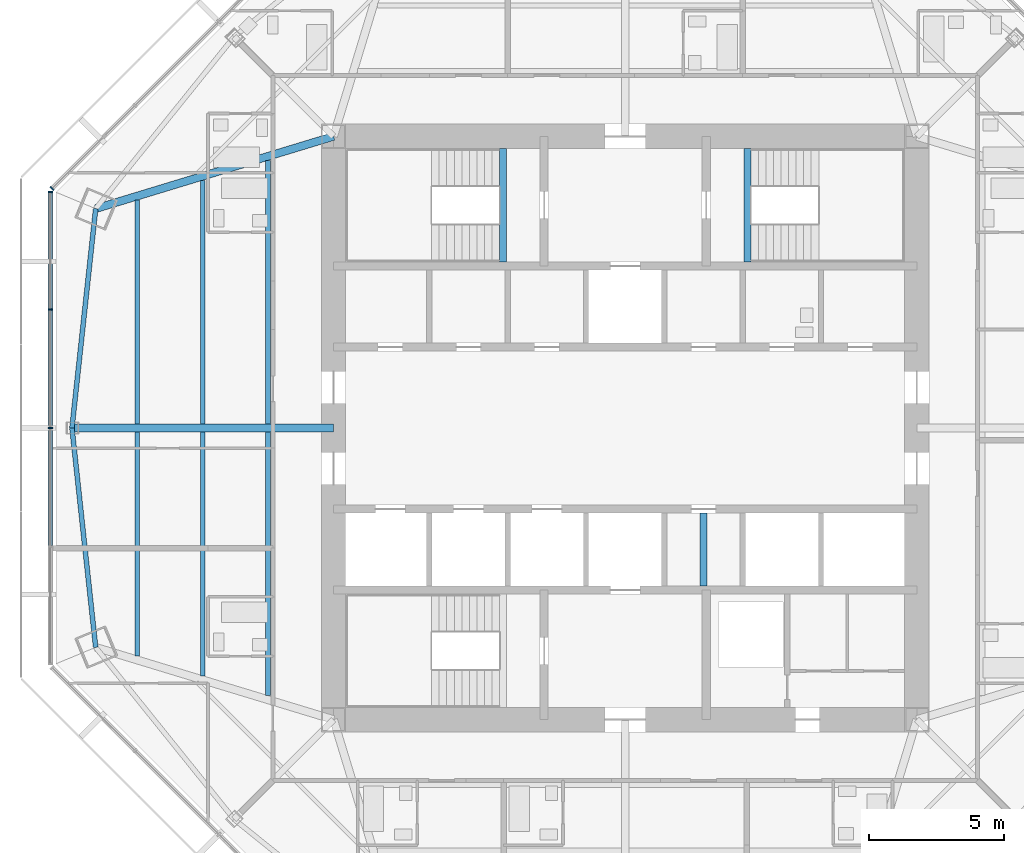
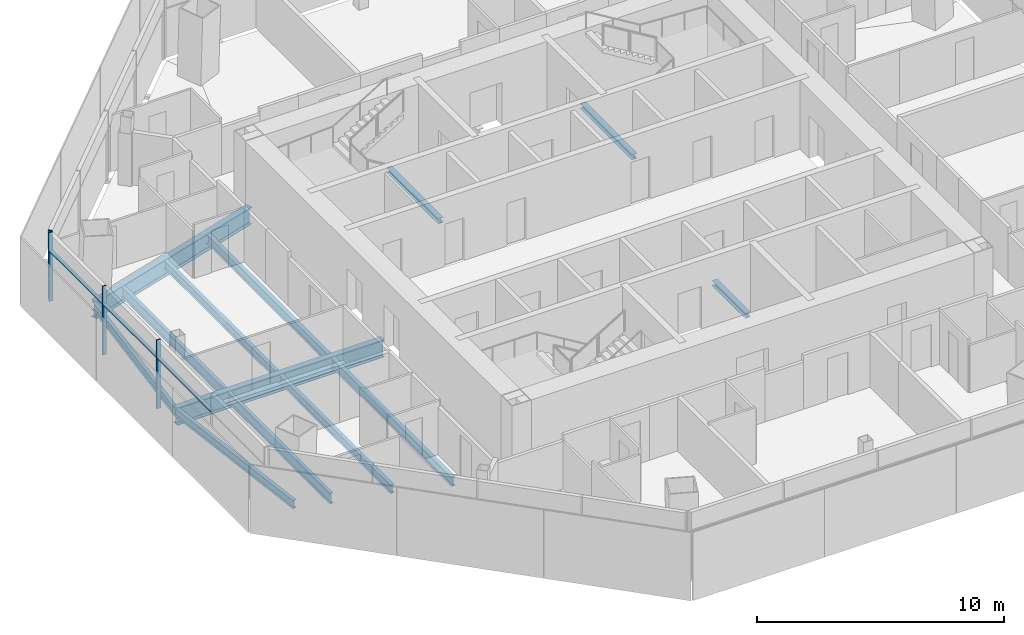
# One storey, part 3 of 14: 13 beams, 7 members, 2 elements without a shape of their own.
"""IFC4 building model written with IfcOpenShell, lengths in metres."""

import ifcopenshell
import ifcopenshell.guid

model = None  # the IFC model being written
_history = None  # IfcOwnerHistory: only IFC2X3 demands one
_inside = {}  # id of a spatial element -> (the spatial element, [elements in it])
_under = {}  # id of a project, library or spatial element -> (it, [spatial elements below it])
_declared = {}  # id of a project -> (the project, [libraries it declares])
_typed = {}  # id of a type object -> (the type object, [elements of that type])
_made_of = {}  # id of a material, layer set ... -> (it, [elements and type objects made of it])


def new_model(schema):
    """Start an empty IFC model of exactly this schema.

    Asked for "IFC4X3", IfcOpenShell would pick the latest addendum, in which some entities
    have other attributes; the version numbers below select the first issue.
    IFC2X3 requires an IfcOwnerHistory on every rooted entity: one is made here for all.
    """
    global model, _history
    if schema == "IFC4X3":
        model = ifcopenshell.file(schema_version=(4, 3, 0, 0))
    else:
        model = ifcopenshell.file(schema=schema)
    _inside.clear()
    _under.clear()
    _declared.clear()
    _typed.clear()
    _made_of.clear()
    _history = None
    if model.schema == "IFC2X3":
        org = make("IfcOrganization", Name="unknown")
        user = make(
            "IfcPersonAndOrganization",
            ThePerson=make("IfcPerson", FamilyName="unknown"),
            TheOrganization=org,
        )
        app = make(
            "IfcApplication",
            ApplicationDeveloper=org,
            Version="unknown",
            ApplicationFullName="unknown",
            ApplicationIdentifier="unknown",
        )
        _history = make(
            "IfcOwnerHistory",
            OwningUser=user,
            OwningApplication=app,
            ChangeAction="ADDED",
            CreationDate=0,
        )
    return model


def make(cls, **values):
    """One entity of the class cls with the attributes given. An attribute that is None is left unset."""
    return model.create_entity(
        cls, **{name: value for name, value in values.items() if value is not None}
    )


def rooted(cls, **values):
    """An entity with a GlobalId (a new one), such as an element, a storey or a relation."""
    return make(cls, GlobalId=ifcopenshell.guid.new(), OwnerHistory=_history, **values)


def si_unit(unit_type, name, prefix=None):
    """IfcSIUnit, for example si_unit("LENGTHUNIT", "METRE", prefix="MILLI")."""
    return make("IfcSIUnit", UnitType=unit_type, Prefix=prefix, Name=name)


def assignment(units):
    """IfcUnitAssignment: the units of a project."""
    return None if units is None else make("IfcUnitAssignment", Units=units)


def point(xyz):
    """IfcCartesianPoint."""
    return None if xyz is None else make("IfcCartesianPoint", Coordinates=xyz)


def direction(xyz):
    """IfcDirection."""
    return None if xyz is None else make("IfcDirection", DirectionRatios=xyz)


def frame(location, z_axis=None, x_axis=None):
    """IfcAxis2Placement3D, a coordinate frame: its origin and axes. An axis left out is left unset."""
    return make(
        "IfcAxis2Placement3D",
        Location=point(location),
        Axis=direction(z_axis),
        RefDirection=direction(x_axis),
    )


def frame_2d(location, x_axis=None):
    """IfcAxis2Placement2D, a coordinate frame in the plane: its origin and x axis."""
    return make(
        "IfcAxis2Placement2D", Location=point(location), RefDirection=direction(x_axis)
    )


def origin():
    """The frame at (0, 0, 0) with its axes left unset."""
    return frame((0.0, 0.0, 0.0))


def origin_2d():
    """The frame at (0, 0) in the plane with its x axis left unset."""
    return frame_2d((0.0, 0.0))


def place(relative_to, where):
    """IfcLocalPlacement: puts the frame where relative to a parent placement (None: the world)."""
    return make(
        "IfcLocalPlacement", PlacementRelTo=relative_to, RelativePlacement=where
    )


def context(
    kind, dimensions, precision=None, world=None, true_north=None, identifier=None
):
    """IfcGeometricRepresentationContext, for example the 3D "Model" context."""
    return make(
        "IfcGeometricRepresentationContext",
        ContextIdentifier=identifier,
        ContextType=kind,
        CoordinateSpaceDimension=dimensions,
        Precision=precision,
        WorldCoordinateSystem=world,
        TrueNorth=true_north,
    )


def subcontext(parent, identifier, kind, view, scale=None):
    """IfcGeometricRepresentationSubContext, for example "Body" below "Model"."""
    return make(
        "IfcGeometricRepresentationSubContext",
        ContextIdentifier=identifier,
        ContextType=kind,
        ParentContext=parent,
        TargetScale=scale,
        TargetView=view,
    )


def project(units=None, contexts=None):
    """IfcProject with its units and contexts."""
    return rooted(
        "IfcProject",
        Name="project",
        RepresentationContexts=contexts,
        UnitsInContext=assignment(units),
    )


def spatial(cls, under=None, at=None, **own):
    """A site, building, storey or space (cls), placed at a placement, below another one or the project."""
    s = rooted(cls, ObjectPlacement=at, **own)
    if under is not None:
        _under.setdefault(under.id(), (under, []))[1].append(s)
    return s


def profile(cls, at=None, kind="AREA", **sizes):
    """A parametric profile (cls). Its sizes go by their IFC names, for example OverallWidth=200.0."""
    return make(cls, ProfileType=kind, Position=at, **sizes)


def rectangle(**sizes):
    """IfcRectangleProfileDef."""
    return profile("IfcRectangleProfileDef", **sizes)


def i_section(**sizes):
    """IfcIShapeProfileDef."""
    return profile("IfcIShapeProfileDef", **sizes)


def extrude(swept, where, along, depth):
    """IfcExtrudedAreaSolid: the profile swept, set in the frame where, extruded along a direction by depth."""
    return make(
        "IfcExtrudedAreaSolid",
        SweptArea=swept,
        Position=where,
        ExtrudedDirection=direction(along),
        Depth=depth,
    )


def shape(context_of_items, identifier, shape_type, items):
    """IfcShapeRepresentation: the items that make up one representation, for example the "Body"."""
    return make(
        "IfcShapeRepresentation",
        ContextOfItems=context_of_items,
        RepresentationIdentifier=identifier,
        RepresentationType=shape_type,
        Items=items,
    )


def source(mapping_origin, context_of_items, identifier, shape_type, items):
    """IfcRepresentationMap: a shape defined once, which mapped items show again and again."""
    return make(
        "IfcRepresentationMap",
        MappingOrigin=mapping_origin,
        MappedRepresentation=shape(context_of_items, identifier, shape_type, items),
    )


def transform(
    local_origin,
    x_axis=None,
    y_axis=None,
    z_axis=None,
    scale=None,
    scale2=None,
    scale3=None,
    uniform=True,
):
    """IfcCartesianTransformationOperator3D, or its non-uniform kind. x_axis, y_axis, z_axis: its Axis1, 2, 3."""
    if uniform:
        return make(
            "IfcCartesianTransformationOperator3D",
            Axis1=direction(x_axis),
            Axis2=direction(y_axis),
            LocalOrigin=point(local_origin),
            Scale=scale,
            Axis3=direction(z_axis),
        )
    return make(
        "IfcCartesianTransformationOperator3DnonUniform",
        Axis1=direction(x_axis),
        Axis2=direction(y_axis),
        LocalOrigin=point(local_origin),
        Scale=scale,
        Axis3=direction(z_axis),
        Scale2=scale2,
        Scale3=scale3,
    )


def mapped(mapping_source, mapping_target):
    """IfcMappedItem: shows the shape of a source again, moved by a transform."""
    return make(
        "IfcMappedItem", MappingSource=mapping_source, MappingTarget=mapping_target
    )


def material(Name=None, Category=None):
    """IfcMaterial."""
    return make("IfcMaterial", Name=Name, Category=Category)


def material_profile(
    of_material, cross_section, Name=None, Category=None, Priority=None
):
    """IfcMaterialProfile: a cross section and its material."""
    return make(
        "IfcMaterialProfile",
        Name=Name,
        Material=of_material,
        Profile=cross_section,
        Priority=Priority,
        Category=Category,
    )


def profile_set(profiles, Name=None, composite=None):
    """IfcMaterialProfileSet."""
    return make(
        "IfcMaterialProfileSet",
        Name=Name,
        MaterialProfiles=profiles,
        CompositeProfile=composite,
    )


def made_of(thing, what):
    """Note that an element or type object is made of a material, layer set ...; save() writes the relation."""
    if what is not None:
        _made_of.setdefault(what.id(), (what, []))[1].append(thing)
    return thing


def type_object(cls, material=None, **own):
    """A type object (cls), such as IfcWallType, which elements share."""
    return made_of(rooted(cls, **own), material)


def type_shapes(of_type, sources):
    """Give a type object the sources (RepresentationMaps) that its elements show as mapped items."""
    of_type.RepresentationMaps = sources


def element(
    cls,
    number,
    at=None,
    inside=None,
    cuts=None,
    type_object=None,
    material=None,
    context=None,
    identifier="Body",
    shape_type=None,
    held_by="IfcProductDefinitionShape",
    body=None,
    shapes=None,
    **own,
):
    """One element of the class cls, such as IfcWall. Its Tag is "e" and its number.

    at: its placement. inside: the storey or other place that contains it. cuts: it is an
    opening in that element (IfcRelVoidsElement). A single representation is given by context,
    identifier, shape_type and body (its items); several are given by shapes. held_by: the class
    of the entity that holds the representations. save() writes the other relations.
    """
    e = rooted(cls, Tag="e%d" % number, ObjectPlacement=at, **own)
    if body is not None:
        shapes = [shape(context, identifier, shape_type, body)]
    if shapes is not None:
        e.Representation = make(held_by, Representations=shapes)
    if inside is not None:
        _inside.setdefault(inside.id(), (inside, []))[1].append(e)
    if cuts is not None:
        rooted(
            "IfcRelVoidsElement", RelatingBuildingElement=cuts, RelatedOpeningElement=e
        )
    if type_object is not None:
        _typed.setdefault(type_object.id(), (type_object, []))[1].append(e)
    return made_of(e, material)


def aggregate(whole, parts):
    """IfcRelAggregates: a whole, such as a stair, and the parts it consists of."""
    return rooted("IfcRelAggregates", RelatingObject=whole, RelatedObjects=parts)


def save(model, path):
    """Write the relations noted so far, then the file.

    IfcRelAggregates (storeys below a building ...), IfcRelContainedInSpatialStructure (elements
    in a storey), IfcRelDefinesByType, IfcRelAssociatesMaterial and IfcRelDeclares: one each for
    every whole, place, type object, material and project.
    """
    for whole, parts in _under.values():
        aggregate(whole, parts)
    for where, things in _inside.values():
        rooted(
            "IfcRelContainedInSpatialStructure",
            RelatedElements=things,
            RelatingStructure=where,
        )
    for kind, things in _typed.values():
        rooted("IfcRelDefinesByType", RelatedObjects=things, RelatingType=kind)
    for what, things in _made_of.values():
        rooted("IfcRelAssociatesMaterial", RelatedObjects=things, RelatingMaterial=what)
    for by, libraries in _declared.values():
        rooted("IfcRelDeclares", RelatingContext=by, RelatedDefinitions=libraries)
    model.write(path)


model = new_model("IFC4")

# Units and contexts
model_context = context("Model", 3, precision=1e-05, world=origin(), true_north=direction((0.0, 1.0)))
body_context = subcontext(model_context, "Body", "Model", "MODEL_VIEW")
ifc_project = project(units=[si_unit("LENGTHUNIT", "METRE"), si_unit("AREAUNIT", "SQUARE_METRE"), si_unit("VOLUMEUNIT", "CUBIC_METRE"), si_unit("PLANEANGLEUNIT", "RADIAN"), si_unit("MASSUNIT", "GRAM", prefix="KILO")], contexts=[model_context])

# Site, building, storey
site_placement = place(None, origin())
site = spatial("IfcSite", under=ifc_project, at=site_placement, CompositionType="ELEMENT")
building_placement = place(site_placement, origin())
building = spatial("IfcBuilding", under=site, at=building_placement, Name="Mashrafa Tower", CompositionType="ELEMENT")
storey_placement = place(building_placement, frame((0.0, 0.0, 238.0)))
storey = spatial("IfcBuildingStorey", under=building, at=storey_placement, Name="L56", CompositionType="ELEMENT", Elevation=238.0)

# Beams
ifc_material_1 = material(Name="Steel ASTM A992", Category="steel")
ifc_material_profile_1 = material_profile(ifc_material_1, i_section(OverallWidth=0.177734375, OverallDepth=0.406494140625, WebThickness=0.0078125, FlangeThickness=0.012939453125, FilletRadius=0.01025390625, at=origin_2d()), Name="W16X40")
ifc_profile_set_1 = profile_set([ifc_material_profile_1], Name="Steel ASTM A992")
beam_type_1 = type_object("IfcBeamType", Name="Beam W16X40", PredefinedType="BEAM", material=ifc_profile_set_1)
for number, where, z_axis, x_axis, name in (
    (1, (-15.643798828125, -9.17529296875, -0.4033203125), (0.0, 1.0, 0.0), (-1.0, 0.0, 0.0), "Floor beam L56 004"),
    (2, (-15.643798828125, 0.14599609375, -0.4033203125), (0.0, 1.0, 0.0), (-1.0, 0.0, 0.0), "Floor beam L56 005"),
):
    element("IfcBeam", number, at=place(storey_placement, frame(where, z_axis=z_axis, x_axis=x_axis)), inside=storey, type_object=beam_type_1, Name=name, PredefinedType="BEAM", context=body_context, shape_type="SweptSolid", body=[
        extrude(i_section(OverallWidth=0.177734375, OverallDepth=0.406494140625, WebThickness=0.0078125, FlangeThickness=0.012939453125, FilletRadius=0.01025390625, at=origin_2d()), origin(), (0.0, 0.0, 1.0), 9.029296875),
    ])
for number, where, z_axis, x_axis, name in (
    (3, (-20.48779296875, 0.0, -0.4033203125), (0.107489027835, -0.994206270799, 0.0), (0.994206270799, 0.107489027835, 0.0), "Spandrel beam L56 049"),
    (4, (-19.609619140625, 8.12255859375, -0.4033203125), (-0.107489027835, -0.994206270799, 0.0), (0.994206270799, -0.107489027835, 0.0), "Spandrel beam L56 051"),
):
    element("IfcBeam", number, at=place(storey_placement, frame(where, z_axis=z_axis, x_axis=x_axis)), inside=storey, type_object=beam_type_1, Name=name, PredefinedType="BEAM", context=body_context, shape_type="SweptSolid", body=[
        extrude(i_section(OverallWidth=0.177734375, OverallDepth=0.406494140625, WebThickness=0.0078125, FlangeThickness=0.012939453125, FilletRadius=0.01025390625, at=origin_2d()), origin(), (0.0, 0.0, 1.0), 8.169921875),
    ])
ifc_material_2 = material(Name="Steel ASTM A992", Category="steel")
ifc_material_profile_2 = material_profile(ifc_material_2, i_section(OverallWidth=0.191162109375, OverallDepth=0.459716796875, WebThickness=0.010009765625, FlangeThickness=0.01611328125, FilletRadius=0.01025390625, at=origin_2d()), Name="W18X55")
ifc_profile_set_2 = profile_set([ifc_material_profile_2], Name="Steel ASTM A992")
beam_type_2 = type_object("IfcBeamType", Name="Beam W18X55", PredefinedType="BEAM", material=ifc_profile_set_2)
for number, where, z_axis, x_axis, name in (
    (5, (-13.221923828125, -9.911376953125, -0.429931640625), (0.0, 1.0, 0.0), (-1.0, 0.0, 0.0), "Floor beam L56 006"),
    (6, (-13.221923828125, 0.14599609375, -0.429931640625), (0.0, 1.0, 0.0), (-1.0, 0.0, 0.0), "Floor beam L56 007"),
):
    element("IfcBeam", number, at=place(storey_placement, frame(where, z_axis=z_axis, x_axis=x_axis)), inside=storey, type_object=beam_type_2, Name=name, PredefinedType="BEAM", context=body_context, shape_type="SweptSolid", body=[
        extrude(i_section(OverallWidth=0.191162109375, OverallDepth=0.459716796875, WebThickness=0.010009765625, FlangeThickness=0.01611328125, FilletRadius=0.01025390625, at=origin_2d()), origin(), (0.0, 0.0, 1.0), 9.765380859375),
    ])
ifc_material_3 = material(Name="Steel ASTM A992", Category="steel")
ifc_material_profile_3 = material_profile(ifc_material_3, i_section(OverallWidth=0.165771484375, OverallDepth=0.5283203125, WebThickness=0.009765625, FlangeThickness=0.013671875, FilletRadius=0.012939453125, at=origin_2d()), Name="W21X50")
ifc_profile_set_3 = profile_set([ifc_material_profile_3], Name="Steel ASTM A992")
beam_type_3 = type_object("IfcBeamType", Name="Beam W21X50", PredefinedType="BEAM", material=ifc_profile_set_3)
for number, where, z_axis, x_axis, name in (
    (7, (-18.06591796875, -8.439208984375, -0.464111328125), (0.0, 1.0, 0.0), (-1.0, 0.0, 0.0), "Floor beam L56 001"),
    (8, (-18.06591796875, 0.14599609375, -0.464111328125), (0.0, 1.0, 0.0), (-1.0, 0.0, 0.0), "Floor beam L56 002"),
):
    element("IfcBeam", number, at=place(storey_placement, frame(where, z_axis=z_axis, x_axis=x_axis)), inside=storey, type_object=beam_type_3, Name=name, PredefinedType="BEAM", context=body_context, shape_type="SweptSolid", body=[
        extrude(i_section(OverallWidth=0.165771484375, OverallDepth=0.5283203125, WebThickness=0.009765625, FlangeThickness=0.013671875, FilletRadius=0.012939453125, at=origin_2d()), origin(), (0.0, 0.0, 1.0), 8.293212890625),
    ])
ifc_material_4 = material(Name="Steel ASTM A992", Category="steel")
ifc_material_profile_4 = material_profile(ifc_material_4, i_section(OverallWidth=0.2919921875, OverallDepth=0.845703125, WebThickness=0.015380859375, FlangeThickness=0.0244140625, FilletRadius=0.017333984375, at=origin_2d()), Name="W33X141")
ifc_profile_set_4 = profile_set([ifc_material_profile_4], Name="Steel ASTM A992")
beam_type_4 = type_object("IfcBeamType", Name="Beam W33X141", PredefinedType="BEAM", material=ifc_profile_set_4)
beam_1_placement = place(storey_placement, frame((-10.800048828125, 10.800048828125, -0.622802734375), z_axis=(-0.956785239687, -0.290795469561, 0.0), x_axis=(0.290795469561, -0.956785239687, 0.0)))
element("IfcBeam", 9, at=beam_1_placement, inside=storey, type_object=beam_type_4, Name="Radial girder L56 037", PredefinedType="BEAM", context=body_context, shape_type="SweptSolid", body=[
    extrude(i_section(OverallWidth=0.2919921875, OverallDepth=0.845703125, WebThickness=0.015380859375, FlangeThickness=0.0244140625, FilletRadius=0.017333984375, at=origin_2d()), origin(), (0.0, 0.0, 1.0), 9.20751953125),
])
ifc_material_5 = material(Name="Steel ASTM A992", Category="steel")
ifc_material_profile_5 = material_profile(ifc_material_5, i_section(OverallWidth=0.2919921875, OverallDepth=0.8583984375, WebThickness=0.01708984375, FlangeThickness=0.031005859375, FilletRadius=0.017822265625, at=origin_2d()), Name="W33X169")
ifc_profile_set_5 = profile_set([ifc_material_profile_5], Name="Steel ASTM A992")
beam_type_5 = type_object("IfcBeamType", Name="Beam W33X169", PredefinedType="BEAM", material=ifc_profile_set_5)
beam_2_placement = place(storey_placement, frame((-10.800048828125, 0.0, -0.629150390625), z_axis=(-1.0, 0.0, 0.0), x_axis=(0.0, -1.0, 0.0)))
element("IfcBeam", 10, at=beam_2_placement, inside=storey, type_object=beam_type_5, Name="Radial girder L56 036", PredefinedType="BEAM", context=body_context, shape_type="SweptSolid", body=[
    extrude(i_section(OverallWidth=0.2919921875, OverallDepth=0.8583984375, WebThickness=0.01708984375, FlangeThickness=0.031005859375, FilletRadius=0.017822265625, at=origin_2d()), origin(), (0.0, 0.0, 1.0), 9.687744140625),
])
ifc_material_6 = material(Name="Steel ASTM A992", Category="steel")
ifc_material_profile_6 = material_profile(ifc_material_6, i_section(OverallWidth=0.25390625, OverallDepth=0.25390625, WebThickness=0.008544921875, FlangeThickness=0.01416015625, FilletRadius=0.010009765625, at=origin_2d()), Name="W10X49")
ifc_profile_set_6 = profile_set([ifc_material_profile_6], Name="Steel ASTM A992")
beam_type_6 = type_object("IfcBeamType", Name="Hoistway beam W10X49", PredefinedType="BEAM", material=ifc_profile_set_6)
beam_3_placement = place(storey_placement, frame((2.89990234375, -5.85009765625, -0.326904296875), z_axis=(0.0, 1.0, 0.0), x_axis=(-1.0, 0.0, 0.0)))
element("IfcBeam", 11, at=beam_3_placement, inside=storey, type_object=beam_type_6, Name="Hoistway beam L56 07", PredefinedType="BEAM", context=body_context, shape_type="SweptSolid", body=[
    extrude(i_section(OverallWidth=0.25390625, OverallDepth=0.25390625, WebThickness=0.008544921875, FlangeThickness=0.01416015625, FilletRadius=0.010009765625, at=origin_2d()), origin(), (0.0, 0.0, 1.0), 2.7001953125),
])
for number, where, z_axis, x_axis, name in (
    (12, (-4.530029296875, 6.14990234375, -0.326904296875), (0.0, 1.0, 0.0), (-1.0, 0.0, 0.0), "Stair S1 landing beam L56"),
    (13, (4.530029296875, 6.14990234375, -0.326904296875), (0.0, 1.0, 0.0), (-1.0, 0.0, 0.0), "Stair S2 landing beam L56"),
):
    element("IfcBeam", number, at=place(storey_placement, frame(where, z_axis=z_axis, x_axis=x_axis)), inside=storey, type_object=beam_type_6, Name=name, PredefinedType="BEAM", context=body_context, shape_type="SweptSolid", body=[
        extrude(i_section(OverallWidth=0.25390625, OverallDepth=0.25390625, WebThickness=0.008544921875, FlangeThickness=0.01416015625, FilletRadius=0.010009765625, at=origin_2d()), origin(), (0.0, 0.0, 1.0), 4.2001953125),
    ])

# Curtain wall, member
ifc_material_7 = material(Name="Unitised aluminium curtain wall", Category="aluminium")
curtain_wall_type = type_object("IfcCurtainWallType", Name="Apartment curtain wall, zone 3 CW-C 180 deep", PredefinedType="NOTDEFINED", material=ifc_material_7)
curtain_wall_1_placement = place(storey_placement, origin())
curtain_wall_1 = element("IfcCurtainWall", 14, at=curtain_wall_1_placement, inside=storey, type_object=curtain_wall_type, Name="Apartment curtain wall, zone 3 L56 north-west", PredefinedType="NOTDEFINED")
ifc_material_8 = material(Name="Extruded aluminium mullion", Category="aluminium")
ifc_material_profile_7 = material_profile(ifc_material_8, rectangle(XDim=0.179931640625, YDim=0.06005859375, at=origin_2d()), Name="Mullion 60x180")
ifc_profile_set_7 = profile_set([ifc_material_profile_7], Name="Extruded aluminium mullion")
member_type_1 = type_object("IfcMemberType", Name="Mullion CW-C 60 x 180", PredefinedType="MULLION", material=ifc_profile_set_7)
shared_shape_1 = source(origin(), body_context, "Body", "SweptSolid", [
    extrude(rectangle(XDim=0.179931640625, YDim=0.06005859375, at=origin_2d()), origin(), (0.0, 0.0, 1.0), 3.39990234375),
])
type_shapes(member_type_1, [shared_shape_1])
member_1_placement = place(storey_placement, frame((-21.227294921875, 8.869873046875, 0.0), z_axis=(0.0, 0.0, 1.0), x_axis=(0.707106781187, -0.707106781187, 0.0)))
member_1 = element("IfcMember", 15, at=member_1_placement, type_object=member_type_1, Name="CW-C mullion 5", PredefinedType="MULLION", context=body_context, shape_type="MappedRepresentation", body=[
    mapped(shared_shape_1, transform((0.0, 0.0, 0.0))),
])
aggregate(curtain_wall_1, [member_1])

# Curtain wall, members
curtain_wall_2_placement = place(storey_placement, origin())
curtain_wall_2 = element("IfcCurtainWall", 16, at=curtain_wall_2_placement, inside=storey, type_object=curtain_wall_type, Name="Apartment curtain wall, zone 3 L56 west", PredefinedType="NOTDEFINED")
member_2_placement = place(storey_placement, frame((-21.281982421875, 8.738037109375, 0.0), z_axis=(0.0, 0.0, 1.0), x_axis=(1.0, 0.0, 0.0)))
member_2 = element("IfcMember", 17, at=member_2_placement, type_object=member_type_1, Name="CW-C mullion 1", PredefinedType="MULLION", context=body_context, shape_type="MappedRepresentation", body=[
    mapped(shared_shape_1, transform((0.0, 0.0, 0.0))),
])
member_3_placement = place(storey_placement, frame((-21.281982421875, 4.384033203125, 0.0), z_axis=(0.0, 0.0, 1.0), x_axis=(1.0, 0.0, 0.0)))
member_3 = element("IfcMember", 18, at=member_3_placement, type_object=member_type_1, Name="CW-C mullion 2", PredefinedType="MULLION", context=body_context, shape_type="MappedRepresentation", body=[
    mapped(shared_shape_1, transform((0.0, 0.0, 0.0))),
])
member_4_placement = place(storey_placement, frame((-21.281982421875, 0.0, 0.0), z_axis=(0.0, 0.0, 1.0), x_axis=(1.0, 0.0, 0.0)))
member_4 = element("IfcMember", 19, at=member_4_placement, type_object=member_type_1, Name="CW-C mullion 3", PredefinedType="MULLION", context=body_context, shape_type="MappedRepresentation", body=[
    mapped(shared_shape_1, transform((0.0, 0.0, 0.0))),
])
ifc_material_9 = material(Name="Extruded aluminium transom", Category="aluminium")
ifc_material_profile_8 = material_profile(ifc_material_9, rectangle(XDim=0.14404296875, YDim=0.074951171875, at=origin_2d()), Name="Transom 75x144")
ifc_profile_set_8 = profile_set([ifc_material_profile_8], Name="Extruded aluminium transom")
member_type_2 = type_object("IfcMemberType", Name="Transom CW-C 75 x 144", PredefinedType="MULLION", material=ifc_profile_set_8)
shared_shape_2 = source(origin(), body_context, "Body", "SweptSolid", [
    extrude(rectangle(XDim=0.14404296875, YDim=0.074951171875, at=origin_2d()), origin(), (0.0, 0.0, 1.0), 4.2939453125),
])
member_5_placement = place(storey_placement, frame((-21.281982421875, 8.7080078125, 2.5), z_axis=(0.0, -1.0, 0.0), x_axis=(1.0, 0.0, 0.0)))
member_5 = element("IfcMember", 20, at=member_5_placement, type_object=member_type_2, Name="CW-C transom 1", PredefinedType="MULLION", context=body_context, shape_type="MappedRepresentation", body=[
    mapped(shared_shape_2, transform((0.0, 0.0, 0.0))),
])
shared_shape_3 = source(origin(), body_context, "Body", "SweptSolid", [
    extrude(rectangle(XDim=0.14404296875, YDim=0.074951171875, at=origin_2d()), origin(), (0.0, 0.0, 1.0), 4.323974609375),
])
type_shapes(member_type_2, [shared_shape_2, shared_shape_3])
member_6_placement = place(storey_placement, frame((-21.281982421875, 4.35400390625, 2.5), z_axis=(0.0, -1.0, 0.0), x_axis=(1.0, 0.0, 0.0)))
member_6 = element("IfcMember", 21, at=member_6_placement, type_object=member_type_2, Name="CW-C transom 2", PredefinedType="MULLION", context=body_context, shape_type="MappedRepresentation", body=[
    mapped(shared_shape_3, transform((0.0, 0.0, 0.0))),
])
member_7_placement = place(storey_placement, frame((-21.281982421875, -0.030029296875, 2.5), z_axis=(0.0, -1.0, 0.0), x_axis=(1.0, 0.0, 0.0)))
member_7 = element("IfcMember", 22, at=member_7_placement, type_object=member_type_2, Name="CW-C transom 3", PredefinedType="MULLION", context=body_context, shape_type="MappedRepresentation", body=[
    mapped(shared_shape_3, transform((0.0, 0.0, 0.0))),
])
aggregate(curtain_wall_2, [member_2, member_3, member_4, member_5, member_6, member_7])

save(model, "model.ifc")
